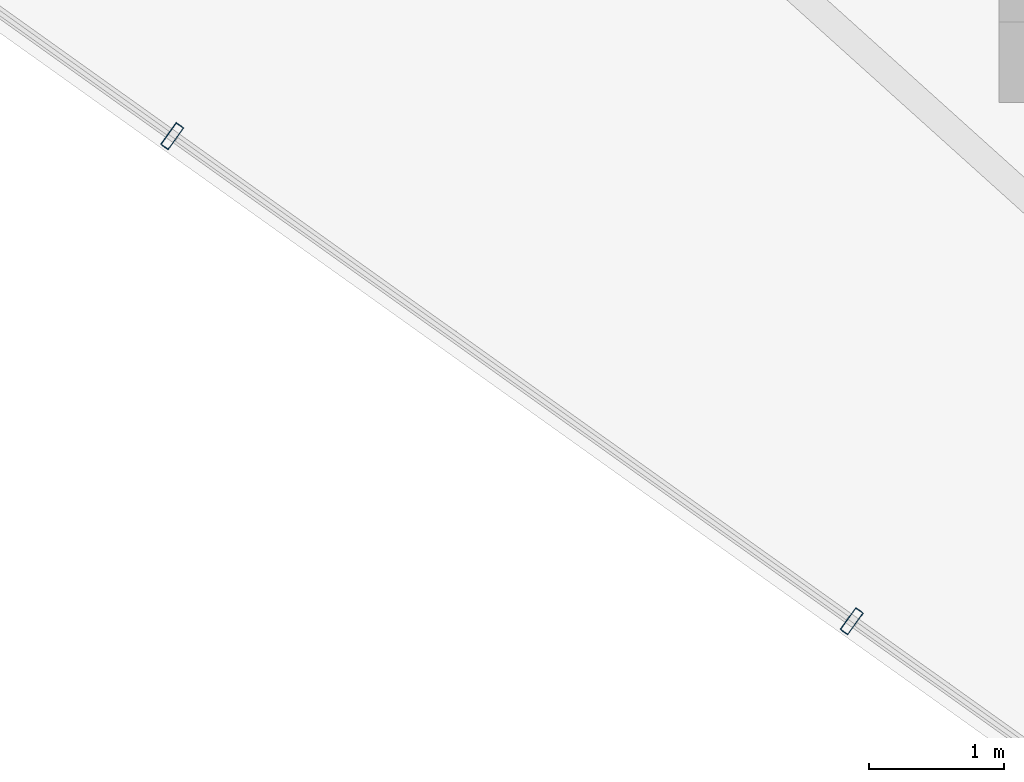
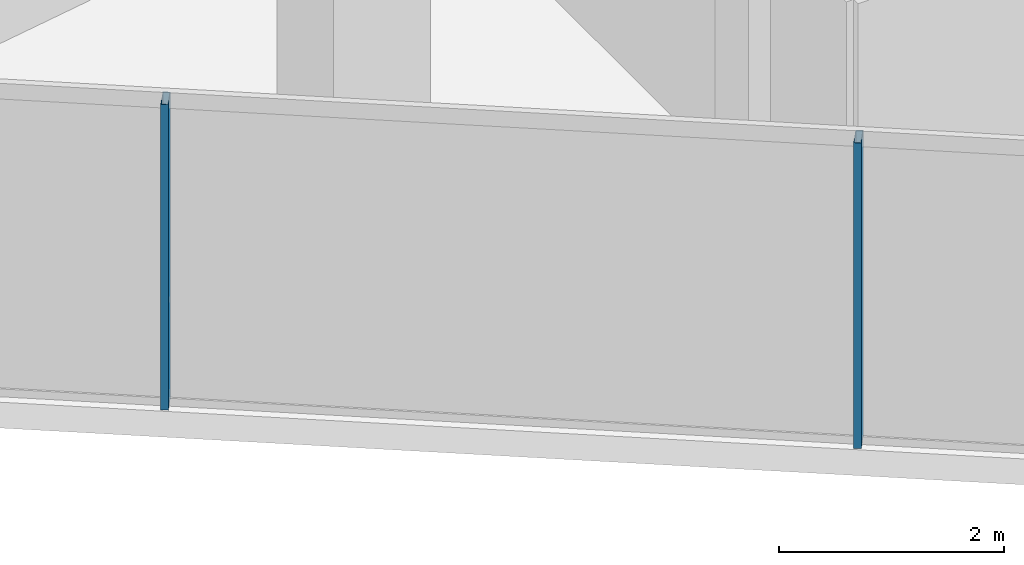
# One storey, part 2 of 21: 2 members, 1 element without a shape of its own.
"""IFC4 building model written with IfcOpenShell, lengths in metres."""

from ifc_helpers import new_model, si_unit, direction, frame, origin, origin_2d, place, context, subcontext, project, spatial, hollow_rectangle, extrude, material, layer, layer_set, material_profile, profile_set, type_object, element, aggregate, save


model = new_model("IFC4")

# Units and contexts
model_context = context("Model", 3, precision=1e-05, world=origin(), true_north=direction((0.0, 1.0)))
body_context = subcontext(model_context, "Body", "Model", "MODEL_VIEW")
ifc_project = project(units=[si_unit("LENGTHUNIT", "METRE"), si_unit("AREAUNIT", "SQUARE_METRE"), si_unit("VOLUMEUNIT", "CUBIC_METRE"), si_unit("PLANEANGLEUNIT", "RADIAN"), si_unit("MASSUNIT", "GRAM", prefix="KILO")], contexts=[model_context])

# Site, building, storey
site_placement = place(None, origin())
site = spatial("IfcSite", under=ifc_project, at=site_placement, CompositionType="ELEMENT")
building_placement = place(site_placement, origin())
building = spatial("IfcBuilding", under=site, at=building_placement, Name="Qarnah Convention Tower", CompositionType="ELEMENT")
storey_placement = place(building_placement, frame((0.0, 0.0, 158.10009765625)))
storey = spatial("IfcBuildingStorey", under=building, at=storey_placement, Name="L42", CompositionType="ELEMENT", Elevation=158.10009765625)

# Curtain wall, members
ifc_material_1 = material(Name="Tempered Low-E dark glass", Category="glass")
ifc_layer = layer(ifc_material_1, 0.172119140625)
ifc_layer_set = layer_set([ifc_layer], Name="Tempered Low-E dark glass")
curtain_wall_type = type_object("IfcCurtainWallType", Name="CWS-03", PredefinedType="NOTDEFINED", material=ifc_layer_set)
curtain_wall_placement = place(storey_placement, origin())
curtain_wall = element("IfcCurtainWall", 1, at=curtain_wall_placement, inside=storey, type_object=curtain_wall_type, Name="L42 unitised curtain wall CW-L42-F2", PredefinedType="NOTDEFINED")
ifc_material_2 = material(Name="Black anodised aluminium", Category="aluminium")
ifc_material_profile = material_profile(ifc_material_2, hollow_rectangle(XDim=0.070068359375, YDim=0.199951171875, WallThickness=0.0048828125, at=origin_2d()), Name="MUL-70X200")
ifc_profile_set = profile_set([ifc_material_profile], Name="Black anodised aluminium")
member_type = type_object("IfcMemberType", Name="MUL-T3", PredefinedType="MULLION", material=ifc_profile_set)
member_1_placement = place(storey_placement, frame((25.407470703125, 14.45166015625, 0.0), z_axis=(0.0, 0.0, 1.0), x_axis=(-0.81391448901, 0.580984685322, 0.0)))
member_1 = element("IfcMember", 2, at=member_1_placement, type_object=member_type, Name="CW-L42-F2 mullion 4", PredefinedType="MULLION", context=body_context, shape_type="SweptSolid", body=[
    extrude(hollow_rectangle(XDim=0.070068359375, YDim=0.199951171875, WallThickness=0.0048828125, at=origin_2d()), origin(), (0.0, 0.0, 1.0), 3.31982421875),
])
member_2_placement = place(storey_placement, frame((20.365234375, 18.05078125, 0.0), z_axis=(0.0, 0.0, 1.0), x_axis=(-0.81391448901, 0.580984685322, 0.0)))
member_2 = element("IfcMember", 3, at=member_2_placement, type_object=member_type, Name="CW-L42-F2 mullion 5", PredefinedType="MULLION", context=body_context, shape_type="SweptSolid", body=[
    extrude(hollow_rectangle(XDim=0.070068359375, YDim=0.199951171875, WallThickness=0.0048828125, at=origin_2d()), origin(), (0.0, 0.0, 1.0), 3.31982421875),
])
aggregate(curtain_wall, [member_1, member_2])

save(model, "model.ifc")
